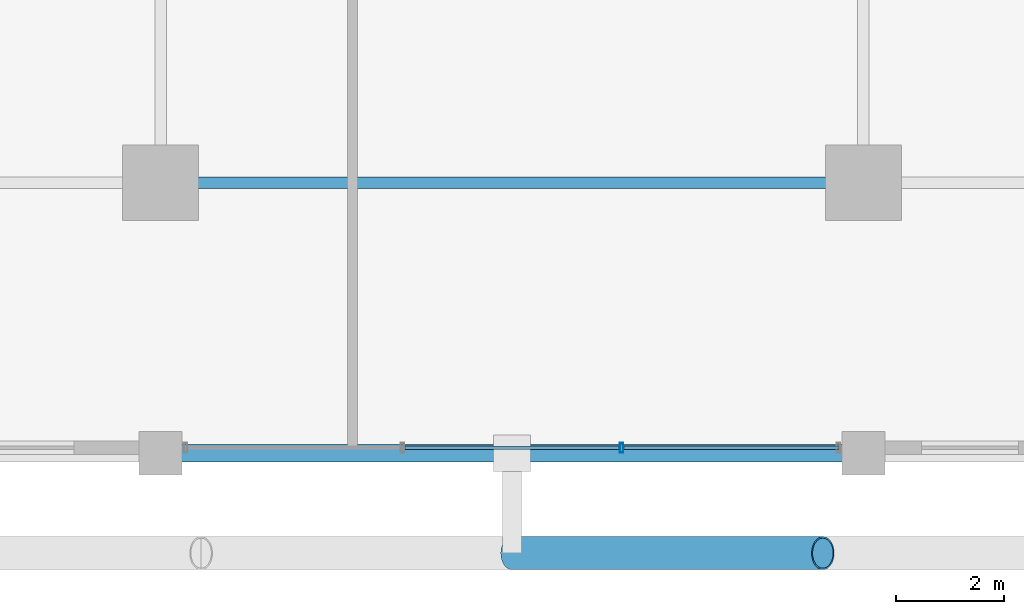
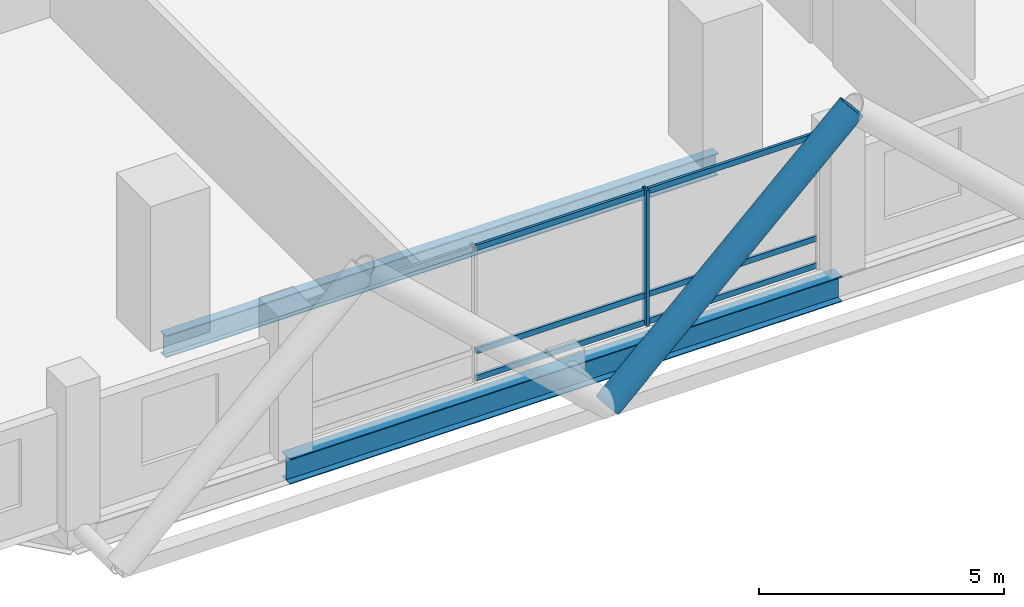
# One storey, part 3 of 26: 8 members, 2 beams, 1 element without a shape of its own.
"""IFC4 building model written with IfcOpenShell, lengths in metres."""

from ifc_helpers import new_model, si_unit, direction, frame, origin, origin_2d, place, context, subcontext, project, spatial, hollow_rectangle, hollow_circle, i_section, extrude, material, layer, layer_set, material_profile, profile_set, type_object, element, aggregate, save


model = new_model("IFC4")

# Units and contexts
model_context = context("Model", 3, precision=1e-05, world=origin(), true_north=direction((0.0, 1.0)))
body_context = subcontext(model_context, "Body", "Model", "MODEL_VIEW")
ifc_project = project(units=[si_unit("LENGTHUNIT", "METRE"), si_unit("AREAUNIT", "SQUARE_METRE"), si_unit("VOLUMEUNIT", "CUBIC_METRE"), si_unit("PLANEANGLEUNIT", "RADIAN"), si_unit("MASSUNIT", "GRAM", prefix="KILO")], contexts=[model_context])

# Site, building, storey
site_placement = place(None, origin())
site = spatial("IfcSite", under=ifc_project, at=site_placement, CompositionType="ELEMENT")
building_placement = place(site_placement, origin())
building = spatial("IfcBuilding", under=site, at=building_placement, Name="Barlavira Tower and Art Museum", CompositionType="ELEMENT")
storey_placement = place(building_placement, frame((0.0, 0.0, 82.800048828125)))
storey = spatial("IfcBuildingStorey", under=building, at=storey_placement, Name="L20", CompositionType="ELEMENT", Elevation=82.800048828125)

# Curtain wall, members
ifc_material_1 = material(Name="Low-iron coastal laminated glass", Category="glass")
ifc_layer = layer(ifc_material_1, 0.179931640625, Name="Low-iron coastal laminated glass")
ifc_layer_set = layer_set([ifc_layer], Name="Low-iron coastal laminated glass")
curtain_wall_type = type_object("IfcCurtainWallType", Name="Pale-Metal Unitised Curtain Wall Zone 1", PredefinedType="NOTDEFINED", material=ifc_layer_set)
curtain_wall_placement = place(storey_placement, origin())
curtain_wall = element("IfcCurtainWall", 1, at=curtain_wall_placement, inside=storey, type_object=curtain_wall_type, Name="L20 Curtain Wall CW1-L20-S-B3", PredefinedType="NOTDEFINED")
ifc_material_2 = material(Name="Pale anodised aluminium", Category="aluminium")
ifc_material_profile_1 = material_profile(ifc_material_2, hollow_rectangle(XDim=0.06494140625, YDim=0.179931640625, WallThickness=0.00390625, at=origin_2d()), Name="ALU-MULL 65x180x4")
ifc_profile_set_1 = profile_set([ifc_material_profile_1], Name="Pale anodised aluminium")
member_type_1 = type_object("IfcMemberType", Name="Curtain Wall Pale-Metal Mullion 65x180", PredefinedType="MULLION", material=ifc_profile_set_1)
member_1_placement = place(storey_placement, frame((2.026611328125, -24.89990234375, 0.0), z_axis=(0.0, 0.0, 1.0), x_axis=(1.0, 0.0, 0.0)))
member_1 = element("IfcMember", 2, at=member_1_placement, type_object=member_type_1, Name="CW1-L20-S-B3 Mullion 2", PredefinedType="MULLION", context=body_context, shape_type="SweptSolid", body=[
    extrude(hollow_rectangle(XDim=0.06494140625, YDim=0.179931640625, WallThickness=0.00390625, at=origin_2d()), origin(), (0.0, 0.0, 1.0), 3.3798828125),
])
ifc_material_profile_2 = material_profile(ifc_material_2, hollow_rectangle(XDim=0.06494140625, YDim=0.139892578125, WallThickness=0.00390625, at=origin_2d()), Name="ALU-TRAN 65x140x4")
ifc_profile_set_2 = profile_set([ifc_material_profile_2], Name="Pale anodised aluminium")
member_type_2 = type_object("IfcMemberType", Name="Curtain Wall Pale-Metal Transom 65x140", PredefinedType="USERDEFINED", material=ifc_profile_set_2)
member_2_placement = place(storey_placement, frame((-1.981689453125, -24.89990234375, 0.070068359375), z_axis=(1.0, 0.0, 0.0), x_axis=(0.0, 1.0, 0.0)))
member_2 = element("IfcMember", 3, at=member_2_placement, type_object=member_type_2, Name="CW1-L20-S-B3 Transom 1.1", ObjectType="TRANSOM", PredefinedType="USERDEFINED", context=body_context, shape_type="SweptSolid", body=[
    extrude(hollow_rectangle(XDim=0.06494140625, YDim=0.139892578125, WallThickness=0.00390625, at=origin_2d()), origin(), (0.0, 0.0, 1.0), 3.96337890625),
])
member_3_placement = place(storey_placement, frame((-1.981689453125, -24.89990234375, 0.743896484375), z_axis=(1.0, 0.0, 0.0), x_axis=(0.0, 1.0, 0.0)))
member_3 = element("IfcMember", 4, at=member_3_placement, type_object=member_type_2, Name="CW1-L20-S-B3 Transom 1.2", ObjectType="TRANSOM", PredefinedType="USERDEFINED", context=body_context, shape_type="SweptSolid", body=[
    extrude(hollow_rectangle(XDim=0.06494140625, YDim=0.139892578125, WallThickness=0.00390625, at=origin_2d()), origin(), (0.0, 0.0, 1.0), 3.96337890625),
])
member_4_placement = place(storey_placement, frame((-1.981689453125, -24.89990234375, 3.31005859375), z_axis=(1.0, 0.0, 0.0), x_axis=(0.0, 1.0, 0.0)))
member_4 = element("IfcMember", 5, at=member_4_placement, type_object=member_type_2, Name="CW1-L20-S-B3 Transom 1.3", ObjectType="TRANSOM", PredefinedType="USERDEFINED", context=body_context, shape_type="SweptSolid", body=[
    extrude(hollow_rectangle(XDim=0.06494140625, YDim=0.139892578125, WallThickness=0.00390625, at=origin_2d()), origin(), (0.0, 0.0, 1.0), 3.96337890625),
])
member_5_placement = place(storey_placement, frame((2.07177734375, -24.89990234375, 0.070068359375), z_axis=(1.0, 0.0, 0.0), x_axis=(0.0, 1.0, 0.0)))
member_5 = element("IfcMember", 6, at=member_5_placement, type_object=member_type_2, Name="CW1-L20-S-B3 Transom 2.1", ObjectType="TRANSOM", PredefinedType="USERDEFINED", context=body_context, shape_type="SweptSolid", body=[
    extrude(hollow_rectangle(XDim=0.06494140625, YDim=0.139892578125, WallThickness=0.00390625, at=origin_2d()), origin(), (0.0, 0.0, 1.0), 3.963134765625),
])
member_6_placement = place(storey_placement, frame((2.07177734375, -24.89990234375, 0.743896484375), z_axis=(1.0, 0.0, 0.0), x_axis=(0.0, 1.0, 0.0)))
member_6 = element("IfcMember", 7, at=member_6_placement, type_object=member_type_2, Name="CW1-L20-S-B3 Transom 2.2", ObjectType="TRANSOM", PredefinedType="USERDEFINED", context=body_context, shape_type="SweptSolid", body=[
    extrude(hollow_rectangle(XDim=0.06494140625, YDim=0.139892578125, WallThickness=0.00390625, at=origin_2d()), origin(), (0.0, 0.0, 1.0), 3.963134765625),
])
member_7_placement = place(storey_placement, frame((2.07177734375, -24.89990234375, 3.31005859375), z_axis=(1.0, 0.0, 0.0), x_axis=(0.0, 1.0, 0.0)))
member_7 = element("IfcMember", 8, at=member_7_placement, type_object=member_type_2, Name="CW1-L20-S-B3 Transom 2.3", ObjectType="TRANSOM", PredefinedType="USERDEFINED", context=body_context, shape_type="SweptSolid", body=[
    extrude(hollow_rectangle(XDim=0.06494140625, YDim=0.139892578125, WallThickness=0.00390625, at=origin_2d()), origin(), (0.0, 0.0, 1.0), 3.963134765625),
])
aggregate(curtain_wall, [member_1, member_2, member_3, member_4, member_5, member_6, member_7])

# Member
ifc_material_3 = material(Name="Steel S355", Category="steel")
ifc_material_profile_3 = material_profile(ifc_material_3, hollow_circle(Radius=0.304931640625, WallThickness=0.028076171875, at=origin_2d()), Name="CHS 610.0x28.0")
ifc_profile_set_3 = profile_set([ifc_material_profile_3], Name="Steel S355")
member_type_3 = type_object("IfcMemberType", Name="Pale-Metal Exoskeleton Diagrid Tube CHS 610x28 Steel S355", PredefinedType="BRACE", material=ifc_profile_set_3)
member_8_placement = place(storey_placement, frame((0.0, -26.85009765625, -0.1201171875), z_axis=(0.728934650808, 0.0, 0.684583285548), x_axis=(0.0, 1.0, 0.0)))
element("IfcMember", 9, at=member_8_placement, inside=storey, type_object=member_type_3, Name="L20 Exoskeleton Diagrid Tube S", PredefinedType="BRACE", context=body_context, shape_type="SweptSolid", body=[
    extrude(hollow_circle(Radius=0.304931640625, WallThickness=0.028076171875, at=origin_2d()), origin(), (0.0, 0.0, 1.0), 7.88818359375),
])

# Beams
ifc_material_profile_4 = material_profile(ifc_material_3, i_section(OverallWidth=0.327880859375, OverallDepth=0.62890625, WebThickness=0.013916015625, FlangeThickness=0.021484375, at=origin_2d()), Name="W610x174.0")
ifc_profile_set_4 = profile_set([ifc_material_profile_4], Name="Steel S355")
beam_type_1 = type_object("IfcBeamType", Name="Perimeter Spandrel Edge Beam W610x174 Steel S355", PredefinedType="SPANDREL", material=ifc_profile_set_4)
beam_1_placement = place(storey_placement, frame((-6.5, -25.0, -0.53466796875), z_axis=(1.0, 0.0, 0.0), x_axis=(0.0, 1.0, 0.0)))
element("IfcBeam", 10, at=beam_1_placement, inside=storey, type_object=beam_type_1, Name="L20 Spandrel 2", PredefinedType="SPANDREL", context=body_context, shape_type="SweptSolid", body=[
    extrude(i_section(OverallWidth=0.327880859375, OverallDepth=0.62890625, WebThickness=0.013916015625, FlangeThickness=0.021484375, at=origin_2d()), origin(), (0.0, 0.0, 1.0), 13.0),
])
ifc_material_profile_5 = material_profile(ifc_material_3, i_section(OverallWidth=0.214111328125, OverallDepth=0.549072265625, WebThickness=0.0146484375, FlangeThickness=0.023681640625, at=origin_2d()), Name="W530x138.0")
ifc_profile_set_5 = profile_set([ifc_material_profile_5], Name="Steel S355")
beam_type_2 = type_object("IfcBeamType", Name="Zone 1 Primary Floor Girder W530x138 Steel S355", PredefinedType="BEAM", material=ifc_profile_set_5)
beam_2_placement = place(storey_placement, frame((-6.5, -20.0, -0.49462890625), z_axis=(1.0, 0.0, 0.0), x_axis=(0.0, 1.0, 0.0)))
element("IfcBeam", 11, at=beam_2_placement, inside=storey, type_object=beam_type_2, Name="L20 Girder M-S2", PredefinedType="BEAM", context=body_context, shape_type="SweptSolid", body=[
    extrude(i_section(OverallWidth=0.214111328125, OverallDepth=0.549072265625, WebThickness=0.0146484375, FlangeThickness=0.023681640625, at=origin_2d()), origin(), (0.0, 0.0, 1.0), 13.0),
])

save(model, "model.ifc")
